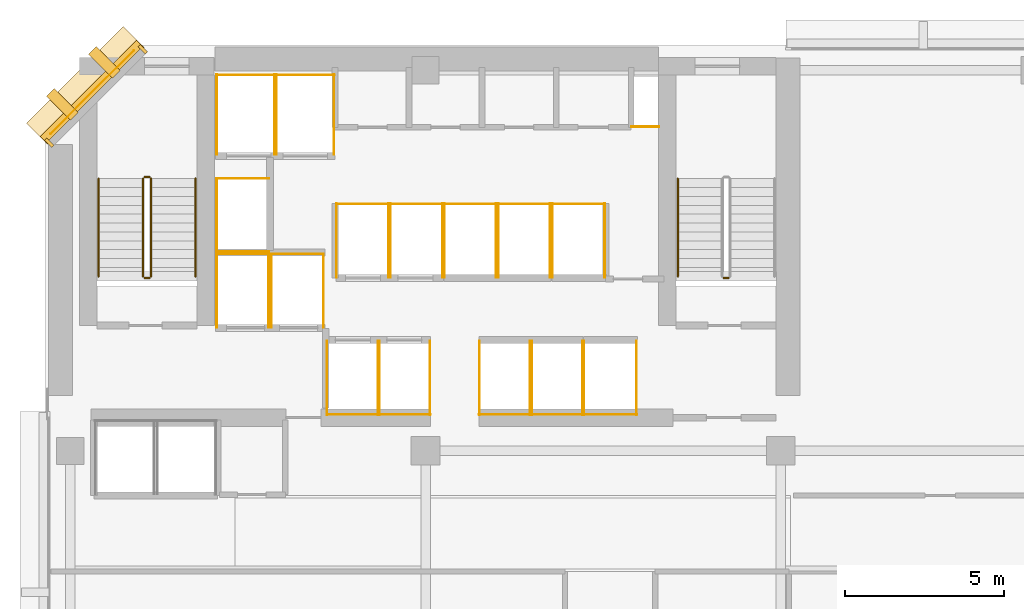
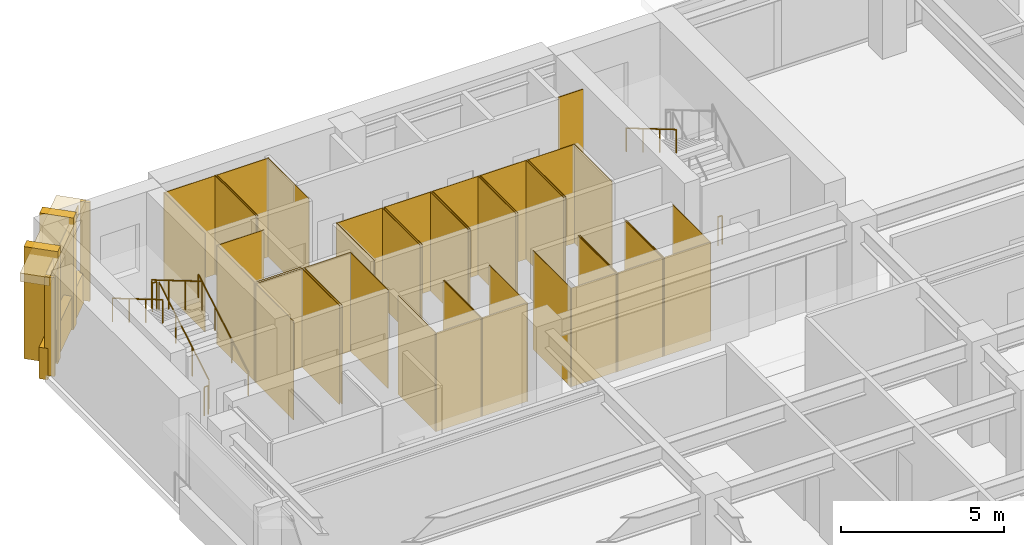
# One storey, part 10 of 12: 53 coverings, 8 railings.
"""IFC4 building model written with IfcOpenShell, lengths in metres."""

from ifc_helpers import new_model, si_unit, direction, frame, origin, origin_2d, place, context, subcontext, project, spatial, polyline, rectangle, circle, outline, extrude, material, layer, layer_set, type_object, element, save


model = new_model("IFC4")

# Units and contexts
model_context = context("Model", 3, precision=1e-05, world=origin(), true_north=direction((0.0, 1.0)))
body_context = subcontext(model_context, "Body", "Model", "MODEL_VIEW")
ifc_project = project(units=[si_unit("LENGTHUNIT", "METRE"), si_unit("AREAUNIT", "SQUARE_METRE"), si_unit("VOLUMEUNIT", "CUBIC_METRE"), si_unit("PLANEANGLEUNIT", "RADIAN"), si_unit("MASSUNIT", "GRAM", prefix="KILO")], contexts=[model_context])

# Site, building, storey
site_placement = place(None, origin())
site = spatial("IfcSite", under=ifc_project, at=site_placement, CompositionType="ELEMENT")
building_placement = place(site_placement, origin())
building = spatial("IfcBuilding", under=site, at=building_placement, Name="Kefirva Bronze Tower", CompositionType="ELEMENT")
storey_placement = place(building_placement, frame((0.0, 0.0, 126.389892578125)))
storey = spatial("IfcBuildingStorey", under=building, at=storey_placement, Name="L30", CompositionType="ELEMENT", Elevation=126.389892578125)

# Coverings
ifc_material_1 = material(Name="Bronze anodised aluminium", Category="aluminium")
ifc_layer_1 = layer(ifc_material_1, 0.02001953125, Name="Bronze anodised aluminium")
ifc_layer_set_1 = layer_set([ifc_layer_1], Name="Bronze anodised aluminium")
covering_type_1 = type_object("IfcCoveringType", Name="Anodised Bronze Spandrel Cladding 20mm", PredefinedType="CLADDING", material=ifc_layer_set_1)
covering_1_placement = place(storey_placement, frame((1.492919921875, 44.507080078125, 3.2900390625), z_axis=(0.0, 0.0, 1.0), x_axis=(-0.707106781187, -0.707106781187, 0.0)))
element("IfcCovering", 1, at=covering_1_placement, inside=storey, type_object=covering_type_1, Name="L30 Bronze Spandrel Cladding 5", PredefinedType="CLADDING", context=body_context, shape_type="SweptSolid", body=[
    extrude(rectangle(XDim=3.719482421875, YDim=0.02001953125, at=origin_2d()), origin(), (0.0, 0.0, 1.0), 0.39990234375),
])
for number, where, z_axis, x_axis, name in (
    (2, (3.08837890625, 45.862060546875, 0.000244140625), (0.0, 0.0, 1.0), (-0.707106781187, -0.707106781187, 0.0), "L30 Facade Joint Closure Panel 5S"),
    (3, (0.137939453125, 42.91162109375, 0.000244140625), (0.0, 0.0, 1.0), (-0.707106781187, -0.707106781187, 0.0), "L30 Facade Joint Closure Panel 5E"),
):
    element("IfcCovering", number, at=place(storey_placement, frame(where, z_axis=z_axis, x_axis=x_axis)), inside=storey, type_object=covering_type_1, Name=name, PredefinedType="CLADDING", context=body_context, shape_type="SweptSolid", body=[
        extrude(rectangle(XDim=0.10009765625, YDim=0.320068359375, at=origin_2d()), origin(), (0.0, 0.0, 1.0), 3.7099609375),
    ])
covering_2_placement = place(storey_placement, frame((1.4716796875, 44.5283203125, -0.15966796875), z_axis=(0.0, 0.0, 1.0), x_axis=(-0.707106781187, -0.707106781187, 0.0)))
element("IfcCovering", 4, at=covering_2_placement, inside=storey, type_object=covering_type_1, Name="L30 Streamline Horizontal Spandrel Band 9", PredefinedType="CLADDING", context=body_context, shape_type="SweptSolid", body=[
    extrude(rectangle(XDim=4.28271484375, YDim=0.280029296875, at=origin_2d()), origin(), (0.0, 0.0, 1.0), 1.179931640625),
])
covering_3_placement = place(storey_placement, origin())
element("IfcCovering", 5, at=covering_3_placement, inside=storey, type_object=covering_type_1, Name="L30 Lift FF1 Hoistway Liner N", PredefinedType="CLADDING", context=body_context, shape_type="SweptSolid", body=[
    extrude(outline(polyline([(5.39990234375, 39.389892578125), (7.080078125, 39.389892578125), (7.080078125, 39.409912109375), (5.39990234375, 39.409912109375), (5.39990234375, 39.389892578125)])), origin(), (0.0, 0.0, 1.0), 3.710205078125),
])
covering_4_placement = place(storey_placement, origin())
element("IfcCovering", 6, at=covering_4_placement, inside=storey, type_object=covering_type_1, Name="L30 Lift FF1 Hoistway Liner W", PredefinedType="CLADDING", context=body_context, shape_type="SweptSolid", body=[
    extrude(outline(polyline([(5.409912109375, 37.080078125), (5.429931640625, 37.080078125), (5.429931640625, 39.419921875), (5.409912109375, 39.419921875), (5.409912109375, 37.080078125)])), origin(), (0.0, 0.0, 1.0), 3.710205078125),
])
covering_5_placement = place(storey_placement, origin())
element("IfcCovering", 7, at=covering_5_placement, inside=storey, type_object=covering_type_1, Name="L30 Lift FF1 Hoistway Liner E", PredefinedType="CLADDING", context=body_context, shape_type="SweptSolid", body=[
    extrude(outline(polyline([(7.050048828125, 37.080078125), (7.070068359375, 37.080078125), (7.070068359375, 39.419921875), (7.050048828125, 39.419921875), (7.050048828125, 37.080078125)])), origin(), (0.0, 0.0, 1.0), 3.710205078125),
])
covering_6_placement = place(storey_placement, origin())
element("IfcCovering", 8, at=covering_6_placement, inside=storey, type_object=covering_type_1, Name="L30 Lift FF2 Hoistway Liner N", PredefinedType="CLADDING", context=body_context, shape_type="SweptSolid", body=[
    extrude(outline(polyline([(7.1201171875, 39.389892578125), (8.800048828125, 39.389892578125), (8.800048828125, 39.409912109375), (7.1201171875, 39.409912109375), (7.1201171875, 39.389892578125)])), origin(), (0.0, 0.0, 1.0), 3.710205078125),
])
covering_7_placement = place(storey_placement, origin())
element("IfcCovering", 9, at=covering_7_placement, inside=storey, type_object=covering_type_1, Name="L30 Lift FF2 Hoistway Liner W", PredefinedType="CLADDING", context=body_context, shape_type="SweptSolid", body=[
    extrude(outline(polyline([(7.1298828125, 37.080078125), (7.14990234375, 37.080078125), (7.14990234375, 39.419921875), (7.1298828125, 39.419921875), (7.1298828125, 37.080078125)])), origin(), (0.0, 0.0, 1.0), 3.710205078125),
])
covering_8_placement = place(storey_placement, origin())
element("IfcCovering", 10, at=covering_8_placement, inside=storey, type_object=covering_type_1, Name="L30 Lift FF2 Hoistway Liner E", PredefinedType="CLADDING", context=body_context, shape_type="SweptSolid", body=[
    extrude(outline(polyline([(8.77001953125, 37.080078125), (8.7900390625, 37.080078125), (8.7900390625, 39.419921875), (8.77001953125, 39.419921875), (8.77001953125, 37.080078125)])), origin(), (0.0, 0.0, 1.0), 3.710205078125),
])
covering_9_placement = place(storey_placement, origin())
element("IfcCovering", 11, at=covering_9_placement, inside=storey, type_object=covering_type_1, Name="L30 Lift SV1 Hoistway Liner N", PredefinedType="CLADDING", context=body_context, shape_type="SweptSolid", body=[
    extrude(outline(polyline([(5.39990234375, 45.0400390625), (7.260009765625, 45.0400390625), (7.260009765625, 45.06005859375), (5.39990234375, 45.06005859375), (5.39990234375, 45.0400390625)])), origin(), (0.0, 0.0, 1.0), 3.710205078125),
])
covering_10_placement = place(storey_placement, origin())
element("IfcCovering", 12, at=covering_10_placement, inside=storey, type_object=covering_type_1, Name="L30 Lift SV1 Hoistway Liner W", PredefinedType="CLADDING", context=body_context, shape_type="SweptSolid", body=[
    extrude(outline(polyline([(5.409912109375, 42.530029296875), (5.429931640625, 42.530029296875), (5.429931640625, 45.070068359375), (5.409912109375, 45.070068359375), (5.409912109375, 42.530029296875)])), origin(), (0.0, 0.0, 1.0), 3.710205078125),
])
covering_11_placement = place(storey_placement, origin())
element("IfcCovering", 13, at=covering_11_placement, inside=storey, type_object=covering_type_1, Name="L30 Lift SV1 Hoistway Liner E", PredefinedType="CLADDING", context=body_context, shape_type="SweptSolid", body=[
    extrude(outline(polyline([(7.22998046875, 42.530029296875), (7.25, 42.530029296875), (7.25, 45.070068359375), (7.22998046875, 45.070068359375), (7.22998046875, 42.530029296875)])), origin(), (0.0, 0.0, 1.0), 3.710205078125),
])
covering_12_placement = place(storey_placement, origin())
element("IfcCovering", 14, at=covering_12_placement, inside=storey, type_object=covering_type_1, Name="L30 Lift SV2 Hoistway Liner N", PredefinedType="CLADDING", context=body_context, shape_type="SweptSolid", body=[
    extrude(outline(polyline([(7.280029296875, 45.0400390625), (9.139892578125, 45.0400390625), (9.139892578125, 45.06005859375), (7.280029296875, 45.06005859375), (7.280029296875, 45.0400390625)])), origin(), (0.0, 0.0, 1.0), 3.710205078125),
])
covering_13_placement = place(storey_placement, origin())
element("IfcCovering", 15, at=covering_13_placement, inside=storey, type_object=covering_type_1, Name="L30 Lift SV2 Hoistway Liner W", PredefinedType="CLADDING", context=body_context, shape_type="SweptSolid", body=[
    extrude(outline(polyline([(7.2900390625, 42.530029296875), (7.31005859375, 42.530029296875), (7.31005859375, 45.070068359375), (7.2900390625, 45.070068359375), (7.2900390625, 42.530029296875)])), origin(), (0.0, 0.0, 1.0), 3.710205078125),
])
covering_14_placement = place(storey_placement, origin())
element("IfcCovering", 16, at=covering_14_placement, inside=storey, type_object=covering_type_1, Name="L30 Lift SV2 Hoistway Liner E", PredefinedType="CLADDING", context=body_context, shape_type="SweptSolid", body=[
    extrude(outline(polyline([(9.110107421875, 42.530029296875), (9.1298828125, 42.530029296875), (9.1298828125, 45.070068359375), (9.110107421875, 45.070068359375), (9.110107421875, 42.530029296875)])), origin(), (0.0, 0.0, 1.0), 3.710205078125),
])
covering_15_placement = place(storey_placement, origin())
element("IfcCovering", 17, at=covering_15_placement, inside=storey, type_object=covering_type_1, Name="L30 Lift LP1 Hoistway Liner S", PredefinedType="CLADDING", context=body_context, shape_type="SweptSolid", body=[
    extrude(outline(polyline([(8.8798828125, 34.340087890625), (10.52001953125, 34.340087890625), (10.52001953125, 34.360107421875), (8.8798828125, 34.360107421875), (8.8798828125, 34.340087890625)])), origin(), (0.0, 0.0, 1.0), 3.710205078125),
])
covering_16_placement = place(storey_placement, origin())
element("IfcCovering", 18, at=covering_16_placement, inside=storey, type_object=covering_type_1, Name="L30 Lift LP1 Hoistway Liner W", PredefinedType="CLADDING", context=body_context, shape_type="SweptSolid", body=[
    extrude(outline(polyline([(8.889892578125, 34.330078125), (8.909912109375, 34.330078125), (8.909912109375, 36.669921875), (8.889892578125, 36.669921875), (8.889892578125, 34.330078125)])), origin(), (0.0, 0.0, 1.0), 3.710205078125),
])
covering_17_placement = place(storey_placement, origin())
element("IfcCovering", 19, at=covering_17_placement, inside=storey, type_object=covering_type_1, Name="L30 Lift LP1 Hoistway Liner E", PredefinedType="CLADDING", context=body_context, shape_type="SweptSolid", body=[
    extrude(outline(polyline([(10.489990234375, 34.330078125), (10.510009765625, 34.330078125), (10.510009765625, 36.669921875), (10.489990234375, 36.669921875), (10.489990234375, 34.330078125)])), origin(), (0.0, 0.0, 1.0), 3.710205078125),
])
covering_18_placement = place(storey_placement, origin())
element("IfcCovering", 20, at=covering_18_placement, inside=storey, type_object=covering_type_1, Name="L30 Lift LP2 Hoistway Liner S", PredefinedType="CLADDING", context=body_context, shape_type="SweptSolid", body=[
    extrude(outline(polyline([(10.52001953125, 34.340087890625), (12.159912109375, 34.340087890625), (12.159912109375, 34.360107421875), (10.52001953125, 34.360107421875), (10.52001953125, 34.340087890625)])), origin(), (0.0, 0.0, 1.0), 3.710205078125),
])
covering_19_placement = place(storey_placement, origin())
element("IfcCovering", 21, at=covering_19_placement, inside=storey, type_object=covering_type_1, Name="L30 Lift LP2 Hoistway Liner W", PredefinedType="CLADDING", context=body_context, shape_type="SweptSolid", body=[
    extrude(outline(polyline([(10.530029296875, 34.330078125), (10.550048828125, 34.330078125), (10.550048828125, 36.669921875), (10.530029296875, 36.669921875), (10.530029296875, 34.330078125)])), origin(), (0.0, 0.0, 1.0), 3.710205078125),
])
covering_20_placement = place(storey_placement, origin())
element("IfcCovering", 22, at=covering_20_placement, inside=storey, type_object=covering_type_1, Name="L30 Lift LP2 Hoistway Liner E", PredefinedType="CLADDING", context=body_context, shape_type="SweptSolid", body=[
    extrude(outline(polyline([(12.1298828125, 34.330078125), (12.14990234375, 34.330078125), (12.14990234375, 36.669921875), (12.1298828125, 36.669921875), (12.1298828125, 34.330078125)])), origin(), (0.0, 0.0, 1.0), 3.710205078125),
])
covering_21_placement = place(storey_placement, origin())
element("IfcCovering", 23, at=covering_21_placement, inside=storey, type_object=covering_type_1, Name="L30 Lift LP3 Hoistway Liner N", PredefinedType="CLADDING", context=body_context, shape_type="SweptSolid", body=[
    extrude(outline(polyline([(9.179931640625, 40.969970703125), (10.85009765625, 40.969970703125), (10.85009765625, 40.989990234375), (9.179931640625, 40.989990234375), (9.179931640625, 40.969970703125)])), origin(), (0.0, 0.0, 1.0), 3.710205078125),
])
covering_22_placement = place(storey_placement, origin())
element("IfcCovering", 24, at=covering_22_placement, inside=storey, type_object=covering_type_1, Name="L30 Lift LP3 Hoistway Liner W", PredefinedType="CLADDING", context=body_context, shape_type="SweptSolid", body=[
    extrude(outline(polyline([(9.18994140625, 38.659912109375), (9.2099609375, 38.659912109375), (9.2099609375, 41.0), (9.18994140625, 41.0), (9.18994140625, 38.659912109375)])), origin(), (0.0, 0.0, 1.0), 3.710205078125),
])
covering_23_placement = place(storey_placement, origin())
element("IfcCovering", 25, at=covering_23_placement, inside=storey, type_object=covering_type_1, Name="L30 Lift LP3 Hoistway Liner E", PredefinedType="CLADDING", context=body_context, shape_type="SweptSolid", body=[
    extrude(outline(polyline([(10.820068359375, 38.659912109375), (10.840087890625, 38.659912109375), (10.840087890625, 41.0), (10.820068359375, 41.0), (10.820068359375, 38.659912109375)])), origin(), (0.0, 0.0, 1.0), 3.710205078125),
])
covering_24_placement = place(storey_placement, origin())
element("IfcCovering", 26, at=covering_24_placement, inside=storey, type_object=covering_type_1, Name="L30 Lift LP4 Hoistway Liner N", PredefinedType="CLADDING", context=body_context, shape_type="SweptSolid", body=[
    extrude(outline(polyline([(10.8798828125, 40.969970703125), (12.550048828125, 40.969970703125), (12.550048828125, 40.989990234375), (10.8798828125, 40.989990234375), (10.8798828125, 40.969970703125)])), origin(), (0.0, 0.0, 1.0), 3.710205078125),
])
covering_25_placement = place(storey_placement, origin())
element("IfcCovering", 27, at=covering_25_placement, inside=storey, type_object=covering_type_1, Name="L30 Lift LP4 Hoistway Liner W", PredefinedType="CLADDING", context=body_context, shape_type="SweptSolid", body=[
    extrude(outline(polyline([(10.889892578125, 38.659912109375), (10.909912109375, 38.659912109375), (10.909912109375, 41.0), (10.889892578125, 41.0), (10.889892578125, 38.659912109375)])), origin(), (0.0, 0.0, 1.0), 3.710205078125),
])
covering_26_placement = place(storey_placement, origin())
element("IfcCovering", 28, at=covering_26_placement, inside=storey, type_object=covering_type_1, Name="L30 Lift LP4 Hoistway Liner E", PredefinedType="CLADDING", context=body_context, shape_type="SweptSolid", body=[
    extrude(outline(polyline([(12.52001953125, 38.659912109375), (12.5400390625, 38.659912109375), (12.5400390625, 41.0), (12.52001953125, 41.0), (12.52001953125, 38.659912109375)])), origin(), (0.0, 0.0, 1.0), 3.710205078125),
])
covering_27_placement = place(storey_placement, origin())
element("IfcCovering", 29, at=covering_27_placement, inside=storey, type_object=covering_type_1, Name="L30 Lift MP1 Hoistway Liner S", PredefinedType="CLADDING", context=body_context, shape_type="SweptSolid", body=[
    extrude(outline(polyline([(13.679931640625, 34.340087890625), (15.320068359375, 34.340087890625), (15.320068359375, 34.360107421875), (13.679931640625, 34.360107421875), (13.679931640625, 34.340087890625)])), origin(), (0.0, 0.0, 1.0), 3.710205078125),
])
covering_28_placement = place(storey_placement, origin())
element("IfcCovering", 30, at=covering_28_placement, inside=storey, type_object=covering_type_1, Name="L30 Lift MP1 Hoistway Liner W", PredefinedType="CLADDING", context=body_context, shape_type="SweptSolid", body=[
    extrude(outline(polyline([(13.68994140625, 34.330078125), (13.7099609375, 34.330078125), (13.7099609375, 36.669921875), (13.68994140625, 36.669921875), (13.68994140625, 34.330078125)])), origin(), (0.0, 0.0, 1.0), 3.710205078125),
])
covering_29_placement = place(storey_placement, origin())
element("IfcCovering", 31, at=covering_29_placement, inside=storey, type_object=covering_type_1, Name="L30 Lift MP1 Hoistway Liner E", PredefinedType="CLADDING", context=body_context, shape_type="SweptSolid", body=[
    extrude(outline(polyline([(15.2900390625, 34.330078125), (15.31005859375, 34.330078125), (15.31005859375, 36.669921875), (15.2900390625, 36.669921875), (15.2900390625, 34.330078125)])), origin(), (0.0, 0.0, 1.0), 3.710205078125),
])
covering_30_placement = place(storey_placement, origin())
element("IfcCovering", 32, at=covering_30_placement, inside=storey, type_object=covering_type_1, Name="L30 Lift MP2 Hoistway Liner S", PredefinedType="CLADDING", context=body_context, shape_type="SweptSolid", body=[
    extrude(outline(polyline([(15.330078125, 34.340087890625), (16.969970703125, 34.340087890625), (16.969970703125, 34.360107421875), (15.330078125, 34.360107421875), (15.330078125, 34.340087890625)])), origin(), (0.0, 0.0, 1.0), 3.710205078125),
])
covering_31_placement = place(storey_placement, origin())
element("IfcCovering", 33, at=covering_31_placement, inside=storey, type_object=covering_type_1, Name="L30 Lift MP2 Hoistway Liner W", PredefinedType="CLADDING", context=body_context, shape_type="SweptSolid", body=[
    extrude(outline(polyline([(15.340087890625, 34.330078125), (15.360107421875, 34.330078125), (15.360107421875, 36.669921875), (15.340087890625, 36.669921875), (15.340087890625, 34.330078125)])), origin(), (0.0, 0.0, 1.0), 3.710205078125),
])
covering_32_placement = place(storey_placement, origin())
element("IfcCovering", 34, at=covering_32_placement, inside=storey, type_object=covering_type_1, Name="L30 Lift MP2 Hoistway Liner E", PredefinedType="CLADDING", context=body_context, shape_type="SweptSolid", body=[
    extrude(outline(polyline([(16.93994140625, 34.330078125), (16.9599609375, 34.330078125), (16.9599609375, 36.669921875), (16.93994140625, 36.669921875), (16.93994140625, 34.330078125)])), origin(), (0.0, 0.0, 1.0), 3.710205078125),
])
covering_33_placement = place(storey_placement, origin())
element("IfcCovering", 35, at=covering_33_placement, inside=storey, type_object=covering_type_1, Name="L30 Lift MP3 Hoistway Liner N", PredefinedType="CLADDING", context=body_context, shape_type="SweptSolid", body=[
    extrude(outline(polyline([(12.580078125, 40.969970703125), (14.25, 40.969970703125), (14.25, 40.989990234375), (12.580078125, 40.989990234375), (12.580078125, 40.969970703125)])), origin(), (0.0, 0.0, 1.0), 3.710205078125),
])
covering_34_placement = place(storey_placement, origin())
element("IfcCovering", 36, at=covering_34_placement, inside=storey, type_object=covering_type_1, Name="L30 Lift MP3 Hoistway Liner W", PredefinedType="CLADDING", context=body_context, shape_type="SweptSolid", body=[
    extrude(outline(polyline([(12.590087890625, 38.659912109375), (12.610107421875, 38.659912109375), (12.610107421875, 41.0), (12.590087890625, 41.0), (12.590087890625, 38.659912109375)])), origin(), (0.0, 0.0, 1.0), 3.710205078125),
])
covering_35_placement = place(storey_placement, origin())
element("IfcCovering", 37, at=covering_35_placement, inside=storey, type_object=covering_type_1, Name="L30 Lift MP3 Hoistway Liner E", PredefinedType="CLADDING", context=body_context, shape_type="SweptSolid", body=[
    extrude(outline(polyline([(14.219970703125, 38.659912109375), (14.239990234375, 38.659912109375), (14.239990234375, 41.0), (14.219970703125, 41.0), (14.219970703125, 38.659912109375)])), origin(), (0.0, 0.0, 1.0), 3.710205078125),
])
covering_36_placement = place(storey_placement, origin())
element("IfcCovering", 38, at=covering_36_placement, inside=storey, type_object=covering_type_1, Name="L30 Lift MP4 Hoistway Liner N", PredefinedType="CLADDING", context=body_context, shape_type="SweptSolid", body=[
    extrude(outline(polyline([(14.280029296875, 40.969970703125), (15.949951171875, 40.969970703125), (15.949951171875, 40.989990234375), (14.280029296875, 40.989990234375), (14.280029296875, 40.969970703125)])), origin(), (0.0, 0.0, 1.0), 3.710205078125),
])
covering_37_placement = place(storey_placement, origin())
element("IfcCovering", 39, at=covering_37_placement, inside=storey, type_object=covering_type_1, Name="L30 Lift MP4 Hoistway Liner W", PredefinedType="CLADDING", context=body_context, shape_type="SweptSolid", body=[
    extrude(outline(polyline([(14.2900390625, 38.659912109375), (14.31005859375, 38.659912109375), (14.31005859375, 41.0), (14.2900390625, 41.0), (14.2900390625, 38.659912109375)])), origin(), (0.0, 0.0, 1.0), 3.710205078125),
])
covering_38_placement = place(storey_placement, origin())
element("IfcCovering", 40, at=covering_38_placement, inside=storey, type_object=covering_type_1, Name="L30 Lift MP4 Hoistway Liner E", PredefinedType="CLADDING", context=body_context, shape_type="SweptSolid", body=[
    extrude(outline(polyline([(15.919921875, 38.659912109375), (15.93994140625, 38.659912109375), (15.93994140625, 41.0), (15.919921875, 41.0), (15.919921875, 38.659912109375)])), origin(), (0.0, 0.0, 1.0), 3.710205078125),
])
covering_39_placement = place(storey_placement, origin())
element("IfcCovering", 41, at=covering_39_placement, inside=storey, type_object=covering_type_1, Name="L30 Lift HP1 Hoistway Liner S", PredefinedType="CLADDING", context=body_context, shape_type="SweptSolid", body=[
    extrude(outline(polyline([(16.97998046875, 34.340087890625), (18.669921875, 34.340087890625), (18.669921875, 34.360107421875), (16.97998046875, 34.360107421875), (16.97998046875, 34.340087890625)])), origin(), (0.0, 0.0, 1.0), 3.710205078125),
])
covering_40_placement = place(storey_placement, origin())
element("IfcCovering", 42, at=covering_40_placement, inside=storey, type_object=covering_type_1, Name="L30 Lift HP1 Hoistway Liner W", PredefinedType="CLADDING", context=body_context, shape_type="SweptSolid", body=[
    extrude(outline(polyline([(16.989990234375, 34.330078125), (17.010009765625, 34.330078125), (17.010009765625, 36.669921875), (16.989990234375, 36.669921875), (16.989990234375, 34.330078125)])), origin(), (0.0, 0.0, 1.0), 3.710205078125),
])
covering_41_placement = place(storey_placement, origin())
element("IfcCovering", 43, at=covering_41_placement, inside=storey, type_object=covering_type_1, Name="L30 Lift HP1 Hoistway Liner E", PredefinedType="CLADDING", context=body_context, shape_type="SweptSolid", body=[
    extrude(outline(polyline([(18.639892578125, 34.330078125), (18.659912109375, 34.330078125), (18.659912109375, 36.669921875), (18.639892578125, 36.669921875), (18.639892578125, 34.330078125)])), origin(), (0.0, 0.0, 1.0), 3.710205078125),
])
covering_42_placement = place(storey_placement, origin())
element("IfcCovering", 44, at=covering_42_placement, inside=storey, type_object=covering_type_1, Name="L30 Lift HP2 Hoistway Liner N", PredefinedType="CLADDING", context=body_context, shape_type="SweptSolid", body=[
    extrude(outline(polyline([(15.97998046875, 40.969970703125), (17.669921875, 40.969970703125), (17.669921875, 40.989990234375), (15.97998046875, 40.989990234375), (15.97998046875, 40.969970703125)])), origin(), (0.0, 0.0, 1.0), 3.710205078125),
])
covering_43_placement = place(storey_placement, origin())
element("IfcCovering", 45, at=covering_43_placement, inside=storey, type_object=covering_type_1, Name="L30 Lift HP2 Hoistway Liner W", PredefinedType="CLADDING", context=body_context, shape_type="SweptSolid", body=[
    extrude(outline(polyline([(15.989990234375, 38.659912109375), (16.010009765625, 38.659912109375), (16.010009765625, 41.0), (15.989990234375, 41.0), (15.989990234375, 38.659912109375)])), origin(), (0.0, 0.0, 1.0), 3.710205078125),
])
covering_44_placement = place(storey_placement, origin())
element("IfcCovering", 46, at=covering_44_placement, inside=storey, type_object=covering_type_1, Name="L30 Lift HP2 Hoistway Liner E", PredefinedType="CLADDING", context=body_context, shape_type="SweptSolid", body=[
    extrude(outline(polyline([(17.639892578125, 38.659912109375), (17.659912109375, 38.659912109375), (17.659912109375, 41.0), (17.639892578125, 41.0), (17.639892578125, 38.659912109375)])), origin(), (0.0, 0.0, 1.0), 3.710205078125),
])
covering_45_placement = place(storey_placement, origin())
element("IfcCovering", 47, at=covering_45_placement, inside=storey, type_object=covering_type_1, Name="L30 Lift HP3 Hoistway Liner N", PredefinedType="CLADDING", context=body_context, shape_type="SweptSolid", body=[
    extrude(outline(polyline([(5.39990234375, 41.77001953125), (7.080078125, 41.77001953125), (7.080078125, 41.7900390625), (5.39990234375, 41.7900390625), (5.39990234375, 41.77001953125)])), origin(), (0.0, 0.0, 1.0), 3.710205078125),
])
covering_46_placement = place(storey_placement, origin())
element("IfcCovering", 48, at=covering_46_placement, inside=storey, type_object=covering_type_1, Name="L30 Lift HP3 Hoistway Liner S", PredefinedType="CLADDING", context=body_context, shape_type="SweptSolid", body=[
    extrude(outline(polyline([(5.39990234375, 39.469970703125), (7.080078125, 39.469970703125), (7.080078125, 39.489990234375), (5.39990234375, 39.489990234375), (5.39990234375, 39.469970703125)])), origin(), (0.0, 0.0, 1.0), 3.710205078125),
])
covering_47_placement = place(storey_placement, origin())
element("IfcCovering", 49, at=covering_47_placement, inside=storey, type_object=covering_type_1, Name="L30 Lift HP3 Hoistway Liner W", PredefinedType="CLADDING", context=body_context, shape_type="SweptSolid", body=[
    extrude(outline(polyline([(5.409912109375, 39.4599609375), (5.429931640625, 39.4599609375), (5.429931640625, 41.800048828125), (5.409912109375, 41.800048828125), (5.409912109375, 39.4599609375)])), origin(), (0.0, 0.0, 1.0), 3.710205078125),
])
covering_48_placement = place(storey_placement, origin())
element("IfcCovering", 50, at=covering_48_placement, inside=storey, type_object=covering_type_1, Name="L30 Core MEP Riser Shaft Liner South", PredefinedType="CLADDING", context=body_context, shape_type="SweptSolid", body=[
    extrude(outline(polyline([(18.47998046875, 43.39990234375), (19.360107421875, 43.39990234375), (19.360107421875, 43.429931640625), (18.47998046875, 43.429931640625), (18.47998046875, 43.39990234375)])), origin(), (0.0, 0.0, 1.0), 3.710205078125),
])

# Railings
ifc_material_2 = material(Name="Stainless steel 316", Category="steel")
railing_type_1 = type_object("IfcRailingType", Name="Interior Stair Guardrail 1100mm", PredefinedType="GUARDRAIL", material=ifc_material_2)
railing_1_placement = place(storey_placement, frame((3.35009765625, 38.699951171875, 0.1650390625)))
element("IfcRailing", 51, at=railing_1_placement, inside=storey, type_object=railing_type_1, Name="L30 ST-1 stair guard 1", PredefinedType="GUARDRAIL", context=body_context, shape_type="SweptSolid", body=[
    extrude(circle(Radius=0.02392578125, at=origin_2d()), frame((0.0, 0.0, 1.076171875), z_axis=(0.0, 0.861521393093, 0.507721271215), x_axis=(-1.0, 0.0, 0.0)), (0.0, 0.0, 1.0), 3.5751953125),
    extrude(circle(Radius=0.02099609375, at=origin_2d()), origin(), (0.0, 0.0, 1.0), 1.052001953125),
    extrude(circle(Radius=0.02099609375, at=origin_2d()), frame((0.0, 1.026611328125, 0.60498046875)), (0.0, 0.0, 1.0), 1.052001953125),
    extrude(circle(Radius=0.02099609375, at=origin_2d()), frame((0.0, 2.053466796875, 1.210205078125)), (0.0, 0.0, 1.0), 1.052001953125),
    extrude(circle(Radius=0.02099609375, at=origin_2d()), frame((0.0, 3.080078125, 1.815185546875)), (0.0, 0.0, 1.0), 1.052001953125),
])
railing_2_placement = place(storey_placement, frame((3.300048828125, 41.830078125, 1.980224609375)))
element("IfcRailing", 52, at=railing_2_placement, inside=storey, type_object=railing_type_1, Name="L30 ST-1 stair guard 2", PredefinedType="GUARDRAIL", context=body_context, shape_type="SweptSolid", body=[
    extrude(circle(Radius=0.02392578125, at=origin_2d()), frame((0.0, 0.0, 1.076171875), z_axis=(-1.0, 0.0, 0.0), x_axis=(0.0, -1.0, 0.0)), (0.0, 0.0, 1.0), 0.150146484375),
    extrude(circle(Radius=0.02099609375, at=origin_2d()), origin(), (0.0, 0.0, 1.0), 1.052001953125),
    extrude(circle(Radius=0.02099609375, at=origin_2d()), frame((-0.150146484375, 0.0, 0.0)), (0.0, 0.0, 1.0), 1.052001953125),
])
railing_3_placement = place(storey_placement, frame((3.10009765625, 41.780029296875, 2.14501953125)))
element("IfcRailing", 53, at=railing_3_placement, inside=storey, type_object=railing_type_1, Name="L30 ST-1 stair guard 3", PredefinedType="GUARDRAIL", context=body_context, shape_type="SweptSolid", body=[
    extrude(circle(Radius=0.02392578125, at=origin_2d()), frame((0.0, 0.0, 1.076171875), z_axis=(0.0, -0.861521393093, 0.507721271215), x_axis=(1.0, 0.0, 0.0)), (0.0, 0.0, 1.0), 3.5751953125),
    extrude(circle(Radius=0.02099609375, at=origin_2d()), origin(), (0.0, 0.0, 1.0), 1.052001953125),
    extrude(circle(Radius=0.02099609375, at=origin_2d()), frame((0.0, -1.026611328125, 0.60498046875)), (0.0, 0.0, 1.0), 1.052001953125),
    extrude(circle(Radius=0.02099609375, at=origin_2d()), frame((0.0, -2.053466796875, 1.210205078125)), (0.0, 0.0, 1.0), 1.052001953125),
    extrude(circle(Radius=0.02099609375, at=origin_2d()), frame((0.0, -3.080078125, 1.815185546875)), (0.0, 0.0, 1.0), 1.052001953125),
])
for number, where, name in (
    (54, (3.300048828125, 38.64990234375, 0.0), "L30 ST-1 stair guard 4"),
    (55, (21.550048828125, 38.64990234375, 0.0), "L30 ST-2 stair guard 4"),
):
    element("IfcRailing", number, at=place(storey_placement, frame(where)), inside=storey, type_object=railing_type_1, Name=name, PredefinedType="GUARDRAIL", context=body_context, shape_type="SweptSolid", body=[
        extrude(circle(Radius=0.02392578125, at=origin_2d()), frame((0.0, 0.0, 1.076171875), z_axis=(-1.0, 0.0, 0.0), x_axis=(0.0, -1.0, 0.0)), (0.0, 0.0, 1.0), 0.150146484375),
        extrude(circle(Radius=0.02099609375, at=origin_2d()), origin(), (0.0, 0.0, 1.0), 1.052001953125),
        extrude(circle(Radius=0.02099609375, at=origin_2d()), frame((-0.150146484375, 0.0, 0.0)), (0.0, 0.0, 1.0), 1.052001953125),
    ])
railing_type_2 = type_object("IfcRailingType", Name="Stair Pitch Handrail 900mm", PredefinedType="HANDRAIL", material=ifc_material_2)
railing_4_placement = place(storey_placement, frame((4.75, 38.699951171875, 0.1650390625)))
element("IfcRailing", 56, at=railing_4_placement, inside=storey, type_object=railing_type_2, Name="L30 ST-1 stair handrail 1", PredefinedType="HANDRAIL", context=body_context, shape_type="SweptSolid", body=[
    extrude(circle(Radius=0.02392578125, at=origin_2d()), frame((0.0, 0.0, 0.8759765625), z_axis=(0.0, 0.861521393093, 0.507721271215), x_axis=(-1.0, 0.0, 0.0)), (0.0, 0.0, 1.0), 3.5751953125),
    extrude(circle(Radius=0.02099609375, at=origin_2d()), origin(), (0.0, 0.0, 1.0), 0.851806640625),
    extrude(circle(Radius=0.02099609375, at=origin_2d()), frame((0.0, 1.026611328125, 0.60498046875)), (0.0, 0.0, 1.0), 0.851806640625),
    extrude(circle(Radius=0.02099609375, at=origin_2d()), frame((0.0, 2.053466796875, 1.210205078125)), (0.0, 0.0, 1.0), 0.851806640625),
    extrude(circle(Radius=0.02099609375, at=origin_2d()), frame((0.0, 3.080078125, 1.815185546875)), (0.0, 0.0, 1.0), 0.851806640625),
])
for number, where, name in (
    (57, (1.699951171875, 41.780029296875, 2.14501953125), "L30 ST-1 stair handrail 2"),
    (58, (19.949951171875, 41.780029296875, 2.14501953125), "L30 ST-2 stair handrail 2"),
):
    element("IfcRailing", number, at=place(storey_placement, frame(where)), inside=storey, type_object=railing_type_2, Name=name, PredefinedType="HANDRAIL", context=body_context, shape_type="SweptSolid", body=[
        extrude(circle(Radius=0.02392578125, at=origin_2d()), frame((0.0, 0.0, 0.8759765625), z_axis=(0.0, -0.861521393093, 0.507721271215), x_axis=(1.0, 0.0, 0.0)), (0.0, 0.0, 1.0), 3.5751953125),
        extrude(circle(Radius=0.02099609375, at=origin_2d()), origin(), (0.0, 0.0, 1.0), 0.851806640625),
        extrude(circle(Radius=0.02099609375, at=origin_2d()), frame((0.0, -1.026611328125, 0.60498046875)), (0.0, 0.0, 1.0), 0.851806640625),
        extrude(circle(Radius=0.02099609375, at=origin_2d()), frame((0.0, -2.053466796875, 1.210205078125)), (0.0, 0.0, 1.0), 0.851806640625),
        extrude(circle(Radius=0.02099609375, at=origin_2d()), frame((0.0, -3.080078125, 1.815185546875)), (0.0, 0.0, 1.0), 0.851806640625),
    ])

# Coverings
ifc_layer_2 = layer(ifc_material_1, 0.179931640625, Name="Bronze anodised aluminium")
ifc_layer_set_2 = layer_set([ifc_layer_2], Name="Bronze anodised aluminium")
covering_type_2 = type_object("IfcCoveringType", Name="Streamline Bronze Sunshade Eyebrow Cladding 180mm", PredefinedType="CLADDING", material=ifc_layer_set_2)
covering_49_placement = place(storey_placement, frame((1.28076171875, 44.71923828125, 3.39013671875), z_axis=(0.0, 0.0, 1.0), x_axis=(-0.707106781187, -0.707106781187, 0.0)))
element("IfcCovering", 59, at=covering_49_placement, inside=storey, type_object=covering_type_2, Name="L30 Streamline Bronze Sunshade Eyebrow 9", PredefinedType="CLADDING", context=body_context, shape_type="SweptSolid", body=[
    extrude(rectangle(XDim=4.322509765625, YDim=0.93994140625, at=origin_2d()), origin(), (0.0, 0.0, 1.0), 0.320068359375),
])
ifc_layer_3 = layer(ifc_material_1, 0.260009765625, Name="Bronze anodised aluminium")
ifc_layer_set_3 = layer_set([ifc_layer_3], Name="Bronze anodised aluminium")
covering_type_3 = type_object("IfcCoveringType", Name="Unbroken Bronze Buttress Fin Cladding 260mm", PredefinedType="CLADDING", material=ifc_layer_set_3)
for number, where, z_axis, x_axis, name in (
    (60, (1.877197265625, 45.44287109375, -0.249755859375), (0.0, 0.0, 1.0), (-0.707106781187, -0.707106781187, 0.0), "L30 Chamfered Corner Buttress Fin Cladding 21"),
    (61, (0.55712890625, 44.122802734375, -0.249755859375), (0.0, 0.0, 1.0), (-0.707106781187, -0.707106781187, 0.0), "L30 Chamfered Corner Buttress Fin Cladding 22"),
):
    element("IfcCovering", number, at=place(storey_placement, frame(where, z_axis=z_axis, x_axis=x_axis)), inside=storey, type_object=covering_type_3, Name=name, PredefinedType="CLADDING", context=body_context, shape_type="SweptSolid", body=[
        extrude(rectangle(XDim=0.340087890625, YDim=1.080078125, at=origin_2d()), origin(), (0.0, 0.0, 1.0), 4.2099609375),
    ])

save(model, "model.ifc")
